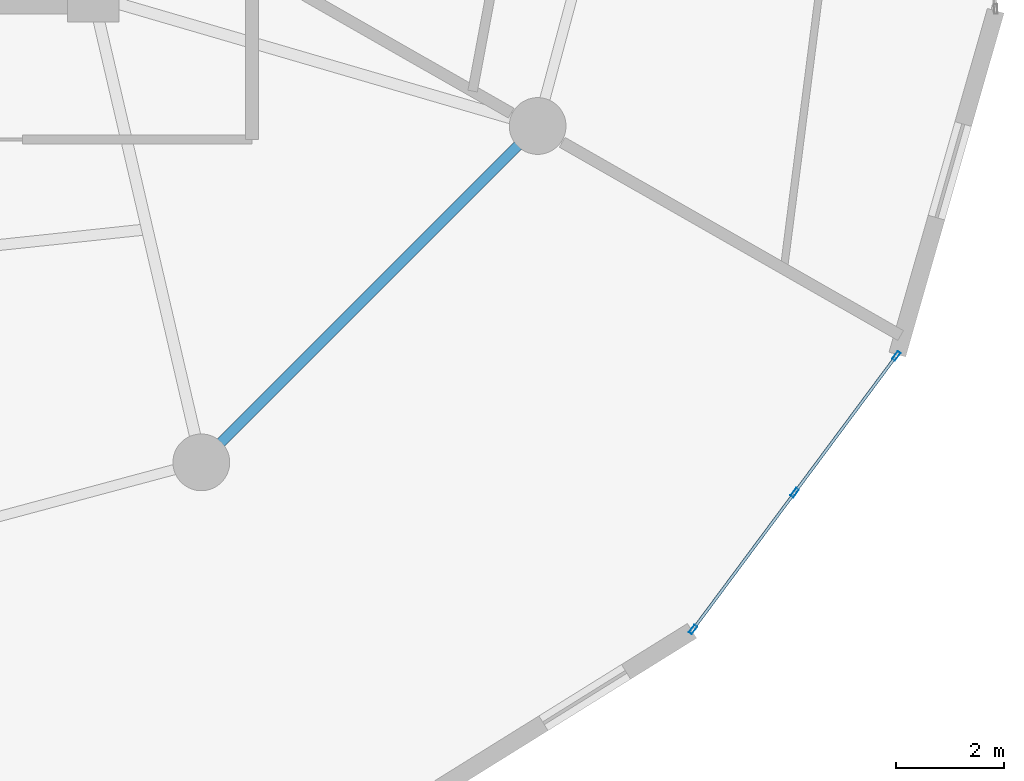
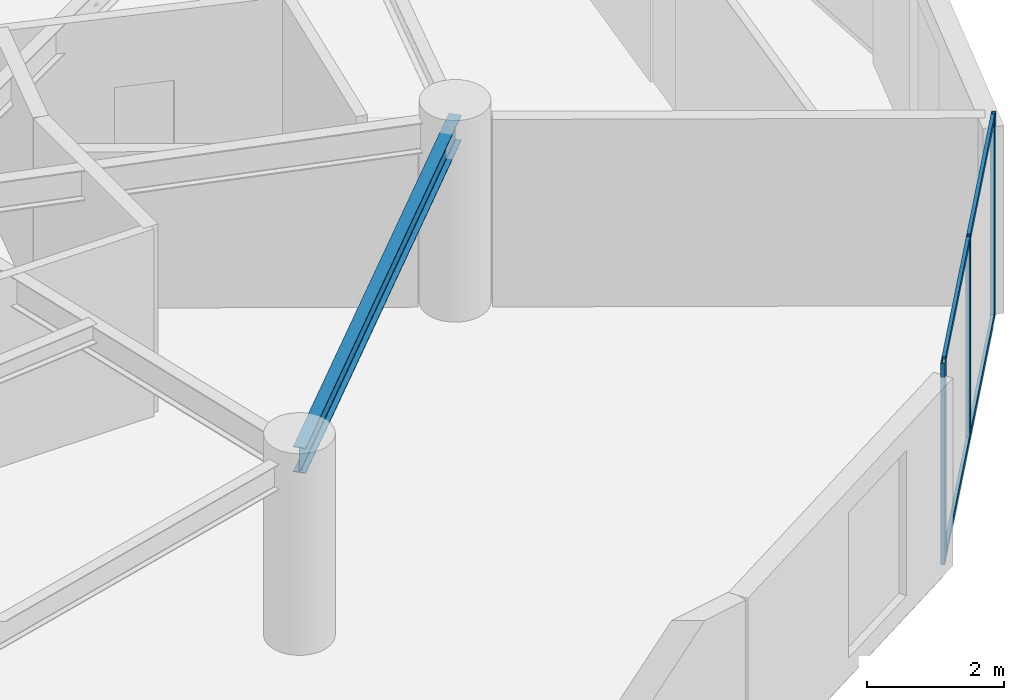
# One storey, part 8 of 22: 7 members, 1 beam, 1 element without a shape of its own.
"""IFC4 building model written with IfcOpenShell, lengths in metres."""

from ifc_helpers import new_model, si_unit, direction, frame, origin, origin_2d, place, context, subcontext, project, spatial, hollow_rectangle, i_section, extrude, source, transform, mapped, material, layer, layer_set, material_profile, profile_set, type_object, element, aggregate, save


model = new_model("IFC4")

# Units and contexts
model_context = context("Model", 3, precision=1e-05, world=origin(), true_north=direction((0.0, 1.0)))
body_context = subcontext(model_context, "Body", "Model", "MODEL_VIEW")
ifc_project = project(units=[si_unit("LENGTHUNIT", "METRE"), si_unit("AREAUNIT", "SQUARE_METRE"), si_unit("VOLUMEUNIT", "CUBIC_METRE"), si_unit("PLANEANGLEUNIT", "RADIAN"), si_unit("MASSUNIT", "GRAM", prefix="KILO")], contexts=[model_context])

# Site, building, storey
site_placement = place(None, origin())
site = spatial("IfcSite", under=ifc_project, at=site_placement, CompositionType="ELEMENT")
building_placement = place(site_placement, origin())
building = spatial("IfcBuilding", under=site, at=building_placement, Name="Solvirekh Grand Hotel", CompositionType="ELEMENT")
storey_placement = place(building_placement, frame((0.0, 0.0, 153.0)))
storey = spatial("IfcBuildingStorey", under=building, at=storey_placement, Name="L39", CompositionType="ELEMENT", Elevation=153.0)

# Beam
ifc_material_1 = material(Name="Steel S355", Category="steel")
ifc_material_profile_1 = material_profile(ifc_material_1, i_section(OverallWidth=0.18994140625, OverallDepth=0.45703125, WebThickness=0.009033203125, FlangeThickness=0.013916015625, FilletRadius=0.012939453125, at=origin_2d()), Name="W460X74")
ifc_profile_set_1 = profile_set([ifc_material_profile_1], Name="Steel S355")
beam_type = type_object("IfcBeamType", Name="Spandrel_Ring_W460", PredefinedType="SPANDREL", material=ifc_profile_set_1)
beam_placement = place(storey_placement, frame((8.5, -14.721923828125, 3.12109375), z_axis=(0.707106781187, 0.707106781187, 0.0), x_axis=(-0.707106781187, 0.707106781187, 0.0)))
element("IfcBeam", 1, at=beam_placement, inside=storey, type_object=beam_type, Name="L39 perimeter spandrel beam 11", PredefinedType="SPANDREL", context=body_context, shape_type="SweptSolid", body=[
    extrude(i_section(OverallWidth=0.18994140625, OverallDepth=0.45703125, WebThickness=0.009033203125, FlangeThickness=0.013916015625, FilletRadius=0.012939453125, at=origin_2d()), origin(), (0.0, 0.0, 1.0), 8.799072265625),
])

# Curtain wall, members
ifc_material_2 = material(Name="Anodized Bronze Aluminium 6063-T6", Category="aluminium")
ifc_layer = layer(ifc_material_2, 0.175048828125)
ifc_layer_set = layer_set([ifc_layer], Name="Anodized Bronze Aluminium 6063-T6")
curtain_wall_type = type_object("IfcCurtainWallType", Name="CW_Sys3_MidZoneFlushBronzeCW", PredefinedType="NOTDEFINED", material=ifc_layer_set)
curtain_wall_placement = place(storey_placement, origin())
curtain_wall = element("IfcCurtainWall", 2, at=curtain_wall_placement, inside=storey, type_object=curtain_wall_type, Name="L39 unitised bronze-glass curtain wall CW-L39-C01", PredefinedType="NOTDEFINED")
ifc_material_profile_2 = material_profile(ifc_material_2, hollow_rectangle(XDim=0.054931640625, YDim=0.1201171875, WallThickness=0.00390625, at=origin_2d()), Name="ALU RHS 120X55X4")
ifc_profile_set_2 = profile_set([ifc_material_profile_2], Name="Anodized Bronze Aluminium 6063-T6")
member_type_1 = type_object("IfcMemberType", Name="CWTransom_Sys3", PredefinedType="USERDEFINED", material=ifc_profile_set_2)
shared_shape_1 = source(origin(), body_context, "Body", "SweptSolid", [
    extrude(hollow_rectangle(XDim=0.054931640625, YDim=0.1201171875, WallThickness=0.00390625, at=origin_2d()), origin(), (0.0, 0.0, 1.0), 3.087158203125),
])
member_1_placement = place(storey_placement, frame((17.61572265625, -17.786865234375, 0.027587890625), z_axis=(0.596463775409, 0.802639996901, 0.0), x_axis=(-0.802639996901, 0.596463775409, 0.0)))
member_1 = element("IfcMember", 3, at=member_1_placement, type_object=member_type_1, Name="U03 transom 1.1", ObjectType="TRANSOM", PredefinedType="USERDEFINED", context=body_context, shape_type="MappedRepresentation", body=[
    mapped(shared_shape_1, transform((0.0, 0.0, 0.0), x_axis=(1.0, 0.0, 0.0), y_axis=(0.0, 1.0, 0.0), z_axis=(0.0, 0.0, 1.0), scale=1.0)),
])
member_2_placement = place(storey_placement, frame((17.61572265625, -17.786865234375, 3.572509765625), z_axis=(0.596463775409, 0.802639996901, 0.0), x_axis=(-0.802639996901, 0.596463775409, 0.0)))
member_2 = element("IfcMember", 4, at=member_2_placement, type_object=member_type_1, Name="U03 transom 1.2", ObjectType="TRANSOM", PredefinedType="USERDEFINED", context=body_context, shape_type="MappedRepresentation", body=[
    mapped(shared_shape_1, transform((0.0, 0.0, 0.0), x_axis=(1.0, 0.0, 0.0), y_axis=(0.0, 1.0, 0.0), z_axis=(0.0, 0.0, 1.0), scale=1.0)),
])
member_3_placement = place(storey_placement, frame((19.495849609375, -15.2568359375, 0.027587890625), z_axis=(0.596463775409, 0.802639996901, 0.0), x_axis=(-0.802639996901, 0.596463775409, 0.0)))
member_3 = element("IfcMember", 5, at=member_3_placement, type_object=member_type_1, Name="U03 transom 2.1", ObjectType="TRANSOM", PredefinedType="USERDEFINED", context=body_context, shape_type="MappedRepresentation", body=[
    mapped(shared_shape_1, transform((0.0, 0.0, 0.0), x_axis=(1.0, 0.0, 0.0), y_axis=(0.0, 1.0, 0.0), z_axis=(0.0, 0.0, 1.0), scale=1.0)),
])
member_4_placement = place(storey_placement, frame((19.495849609375, -15.2568359375, 3.572509765625), z_axis=(0.596463775409, 0.802639996901, 0.0), x_axis=(-0.802639996901, 0.596463775409, 0.0)))
member_4 = element("IfcMember", 6, at=member_4_placement, type_object=member_type_1, Name="U03 transom 2.2", ObjectType="TRANSOM", PredefinedType="USERDEFINED", context=body_context, shape_type="MappedRepresentation", body=[
    mapped(shared_shape_1, transform((0.0, 0.0, 0.0), x_axis=(1.0, 0.0, 0.0), y_axis=(0.0, 1.0, 0.0), z_axis=(0.0, 0.0, 1.0), scale=1.0)),
])
ifc_material_profile_3 = material_profile(ifc_material_2, hollow_rectangle(XDim=0.06494140625, YDim=0.175048828125, WallThickness=0.0048828125, at=origin_2d()), Name="ALU RHS 175X65X5")
ifc_profile_set_3 = profile_set([ifc_material_profile_3], Name="Anodized Bronze Aluminium 6063-T6")
member_type_2 = type_object("IfcMemberType", Name="CWMullion_Sys3", PredefinedType="MULLION", material=ifc_profile_set_3)
shared_shape_2 = source(origin(), body_context, "Body", "SweptSolid", [
    extrude(hollow_rectangle(XDim=0.06494140625, YDim=0.175048828125, WallThickness=0.0048828125, at=origin_2d()), origin(), (0.0, 0.0, 1.0), 3.60009765625),
])
member_5_placement = place(storey_placement, frame((17.596435546875, -17.81298828125, 0.0), z_axis=(0.0, 0.0, 1.0), x_axis=(-0.802630020394, 0.596477200204, 0.0)))
member_5 = element("IfcMember", 7, at=member_5_placement, type_object=member_type_2, Name="U03 mullion 1", PredefinedType="MULLION", context=body_context, shape_type="MappedRepresentation", body=[
    mapped(shared_shape_2, transform((0.0, 0.0, 0.0), x_axis=(1.0, 0.0, 0.0), y_axis=(0.0, 1.0, 0.0), z_axis=(0.0, 0.0, 1.0), scale=1.0)),
])
member_6_placement = place(storey_placement, frame((19.4765625, -15.282958984375, 0.0), z_axis=(0.0, 0.0, 1.0), x_axis=(-0.802630020394, 0.596477200204, 0.0)))
member_6 = element("IfcMember", 8, at=member_6_placement, type_object=member_type_2, Name="U03 mullion 2", PredefinedType="MULLION", context=body_context, shape_type="MappedRepresentation", body=[
    mapped(shared_shape_2, transform((0.0, 0.0, 0.0), x_axis=(1.0, 0.0, 0.0), y_axis=(0.0, 1.0, 0.0), z_axis=(0.0, 0.0, 1.0), scale=1.0)),
])
member_7_placement = place(storey_placement, frame((21.356689453125, -12.753173828125, 0.0), z_axis=(0.0, 0.0, 1.0), x_axis=(-0.802630020394, 0.596477200204, 0.0)))
member_7 = element("IfcMember", 9, at=member_7_placement, type_object=member_type_2, Name="U03 mullion 3", PredefinedType="MULLION", context=body_context, shape_type="MappedRepresentation", body=[
    mapped(shared_shape_2, transform((0.0, 0.0, 0.0), x_axis=(1.0, 0.0, 0.0), y_axis=(0.0, 1.0, 0.0), z_axis=(0.0, 0.0, 1.0), scale=1.0)),
])
aggregate(curtain_wall, [member_5, member_6, member_7, member_1, member_2, member_3, member_4])

save(model, "model.ifc")
